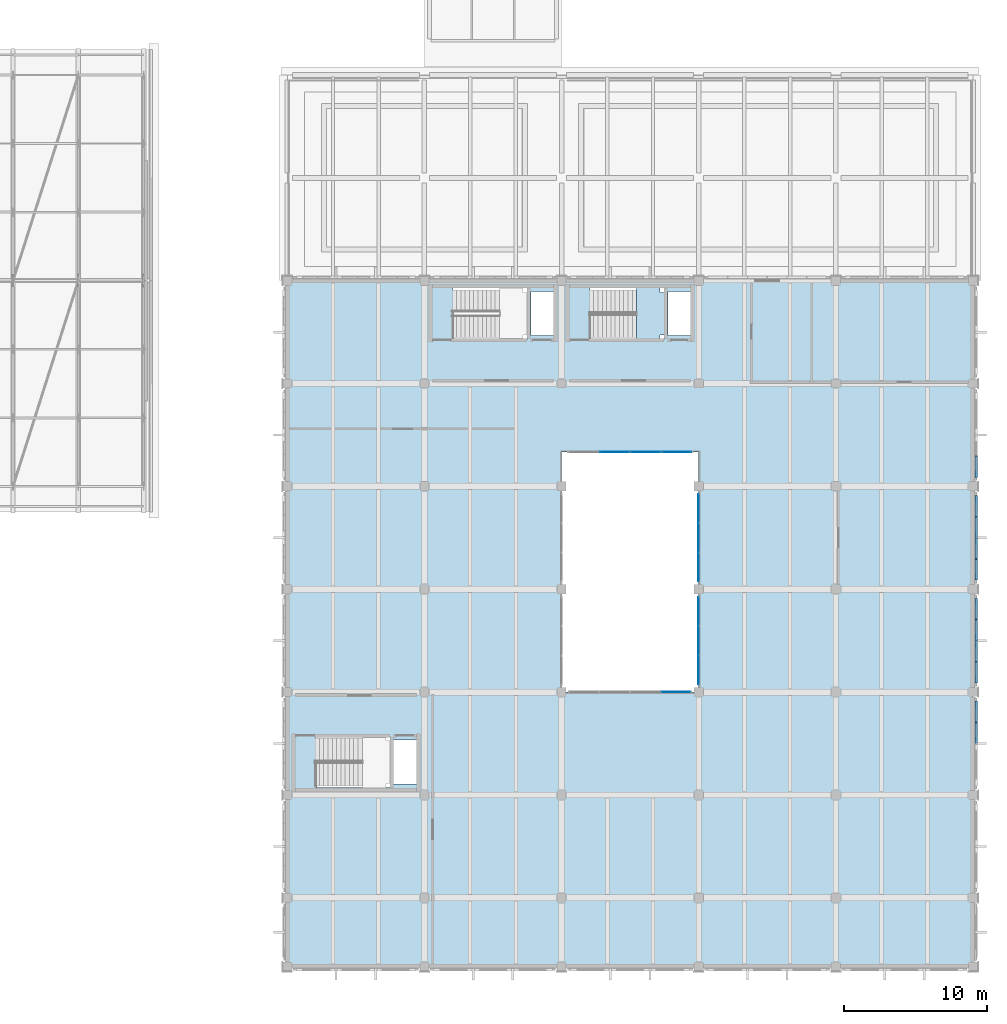
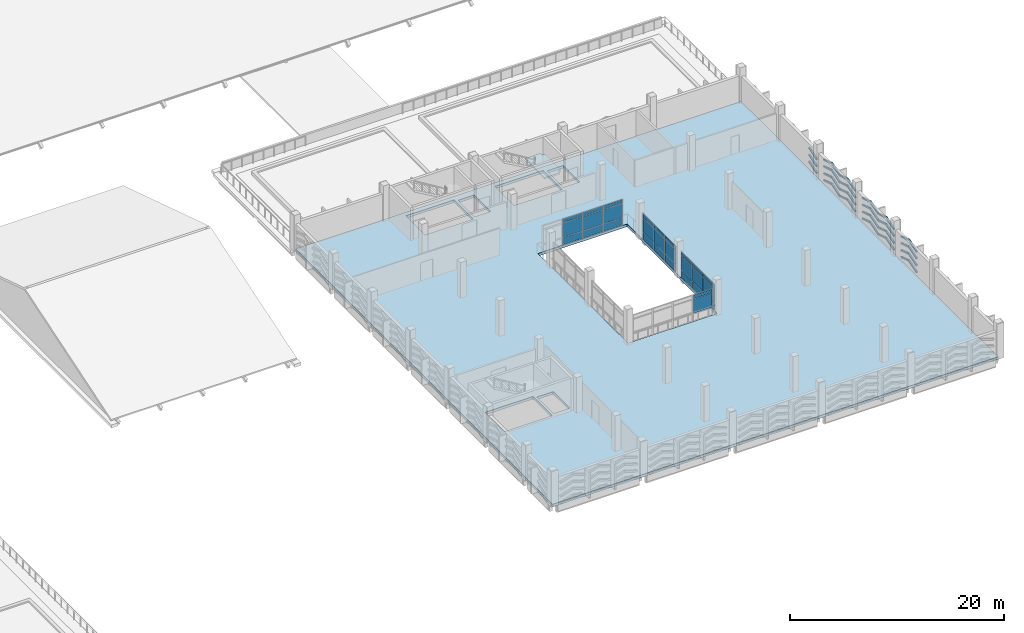
# One storey, part 105 of 134: 72 plates, 2 slabs, 5 elements without a shape of their own.
"""IFC4 building model written with IfcOpenShell, lengths in metres."""

from ifc_helpers import new_model, si_unit, direction, frame, origin, origin_2d, place, context, subcontext, project, spatial, polyline, rectangle, hollow_rectangle, outline, extrude, material, layer, layer_set, material_profile, profile_set, type_object, element, aggregate, save


model = new_model("IFC4")

# Units and contexts
model_context = context("Model", 3, precision=1e-05, world=origin(), true_north=direction((0.0, 1.0)))
body_context = subcontext(model_context, "Body", "Model", "MODEL_VIEW")
ifc_project = project(units=[si_unit("LENGTHUNIT", "METRE"), si_unit("AREAUNIT", "SQUARE_METRE"), si_unit("VOLUMEUNIT", "CUBIC_METRE"), si_unit("PLANEANGLEUNIT", "RADIAN"), si_unit("MASSUNIT", "GRAM", prefix="KILO")], contexts=[model_context])

# Site, building, storey
site_placement = place(None, origin())
site = spatial("IfcSite", under=ifc_project, at=site_placement, CompositionType="ELEMENT")
building_placement = place(site_placement, origin())
building = spatial("IfcBuilding", under=site, at=building_placement, Name="Asteropetra Specialist Clinic", CompositionType="ELEMENT")
storey_placement = place(building_placement, frame((0.0, 0.0, 8.5)))
storey = spatial("IfcBuildingStorey", under=building, at=storey_placement, Name="L02", CompositionType="ELEMENT", Elevation=8.5)

# Plates
ifc_material_1 = material(Name="Chevron emerald aluminium 6063-T6", Category="aluminium")
ifc_material_profile = material_profile(ifc_material_1, hollow_rectangle(XDim=0.179931640625, YDim=0.179931640625, WallThickness=0.010009765625, InnerFilletRadius=0.008056640625, OuterFilletRadius=0.01611328125, at=origin_2d()), Name="SHS 180x180x10.0")
ifc_profile_set = profile_set([ifc_material_profile], Name="Chevron emerald aluminium 6063-T6")
plate_type_1 = type_object("IfcPlateType", Name="CHV-RIB-180", PredefinedType="SHEET", material=ifc_profile_set)
for number, where, z_axis, x_axis, name in (
    (1, (153.839599609375, 15.6201171875, 0.050048828125), (0.0, 0.952520448524, 0.304474621509), (-1.0, 0.0, 0.0), "Chevron Facade Screen Fin CVR-2758"),
    (2, (153.839599609375, 17.077392578125, 0.515869140625), (0.0, 0.952535238788, -0.304428347673), (-1.0, 0.0, 0.0), "Chevron Facade Screen Fin CVR-2759"),
    (3, (153.839599609375, 15.6201171875, 0.820068359375), (0.0, 0.952520448524, 0.304474621509), (-1.0, 0.0, 0.0), "Chevron Facade Screen Fin CVR-2760"),
    (4, (153.839599609375, 17.077392578125, 1.285888671875), (0.0, 0.952535238788, -0.304428347673), (-1.0, 0.0, 0.0), "Chevron Facade Screen Fin CVR-2761"),
    (5, (153.839599609375, 15.6201171875, 1.6201171875), (0.0, 0.952520448524, 0.304474621509), (-1.0, 0.0, 0.0), "Chevron Facade Screen Fin CVR-2762"),
    (6, (153.839599609375, 17.077392578125, 2.0859375), (0.0, 0.952535238788, -0.304428347673), (-1.0, 0.0, 0.0), "Chevron Facade Screen Fin CVR-2763"),
    (7, (153.839599609375, 15.6201171875, 2.39990234375), (0.0, 0.952474159261, 0.304619395213), (-1.0, 0.0, 0.0), "Chevron Facade Screen Fin CVR-2764"),
):
    element("IfcPlate", number, at=place(storey_placement, frame(where, z_axis=z_axis, x_axis=x_axis)), inside=storey, type_object=plate_type_1, Name=name, PredefinedType="SHEET", context=body_context, shape_type="SweptSolid", body=[
        extrude(hollow_rectangle(XDim=0.179931640625, YDim=0.179931640625, WallThickness=0.010009765625, InnerFilletRadius=0.008056640625, OuterFilletRadius=0.01611328125, at=origin_2d()), origin(), (0.0, 0.0, 1.0), 1.530029296875),
    ])
plate_1_placement = place(storey_placement, frame((153.839599609375, 17.077392578125, 2.865966796875), z_axis=(0.0, 0.952488962874, -0.304573103874), x_axis=(-1.0, 0.0, 0.0)))
element("IfcPlate", 8, at=plate_1_placement, inside=storey, type_object=plate_type_1, Name="Chevron Facade Screen Fin CVR-2765", PredefinedType="SHEET", context=body_context, shape_type="SweptSolid", body=[
    extrude(hollow_rectangle(XDim=0.179931640625, YDim=0.179931640625, WallThickness=0.010009765625, InnerFilletRadius=0.008056640625, OuterFilletRadius=0.01611328125, at=origin_2d()), origin(), (0.0, 0.0, 1.0), 1.5302734375),
])
for number, where, z_axis, x_axis, name in (
    (9, (153.839599609375, 19.864990234375, 0.050048828125), (0.0, 0.952535238788, 0.304428347673), (-1.0, 0.0, 0.0), "Chevron Facade Screen Fin CVR-2782"),
    (10, (153.839599609375, 21.322509765625, 0.515869140625), (0.0, 0.952535238788, -0.304428347673), (-1.0, 0.0, 0.0), "Chevron Facade Screen Fin CVR-2783"),
    (11, (153.839599609375, 19.864990234375, 0.820068359375), (0.0, 0.952535238788, 0.304428347673), (-1.0, 0.0, 0.0), "Chevron Facade Screen Fin CVR-2784"),
    (12, (153.839599609375, 21.322509765625, 1.285888671875), (0.0, 0.952535238788, -0.304428347673), (-1.0, 0.0, 0.0), "Chevron Facade Screen Fin CVR-2785"),
    (13, (153.839599609375, 19.864990234375, 1.6201171875), (0.0, 0.952535238788, 0.304428347673), (-1.0, 0.0, 0.0), "Chevron Facade Screen Fin CVR-2786"),
    (14, (153.839599609375, 21.322509765625, 2.0859375), (0.0, 0.952535238788, -0.304428347673), (-1.0, 0.0, 0.0), "Chevron Facade Screen Fin CVR-2787"),
):
    element("IfcPlate", number, at=place(storey_placement, frame(where, z_axis=z_axis, x_axis=x_axis)), inside=storey, type_object=plate_type_1, Name=name, PredefinedType="SHEET", context=body_context, shape_type="SweptSolid", body=[
        extrude(hollow_rectangle(XDim=0.179931640625, YDim=0.179931640625, WallThickness=0.010009765625, InnerFilletRadius=0.008056640625, OuterFilletRadius=0.01611328125, at=origin_2d()), origin(), (0.0, 0.0, 1.0), 1.530029296875),
    ])
for number, where, z_axis, x_axis, name in (
    (15, (153.839599609375, 19.864990234375, 2.39990234375), (0.0, 0.952488962874, 0.304573103874), (-1.0, 0.0, 0.0), "Chevron Facade Screen Fin CVR-2788"),
    (16, (153.839599609375, 21.322509765625, 2.865966796875), (0.0, 0.952488962874, -0.304573103874), (-1.0, 0.0, 0.0), "Chevron Facade Screen Fin CVR-2789"),
):
    element("IfcPlate", number, at=place(storey_placement, frame(where, z_axis=z_axis, x_axis=x_axis)), inside=storey, type_object=plate_type_1, Name=name, PredefinedType="SHEET", context=body_context, shape_type="SweptSolid", body=[
        extrude(hollow_rectangle(XDim=0.179931640625, YDim=0.179931640625, WallThickness=0.010009765625, InnerFilletRadius=0.008056640625, OuterFilletRadius=0.01611328125, at=origin_2d()), origin(), (0.0, 0.0, 1.0), 1.5302734375),
    ])
for number, where, z_axis, x_axis, name in (
    (17, (153.839599609375, 22.820068359375, 0.050048828125), (0.0, 0.952535238788, 0.304428347673), (-1.0, 0.0, 0.0), "Chevron Facade Screen Fin CVR-2790"),
    (18, (153.839599609375, 24.277587890625, 0.515869140625), (0.0, 0.952535238788, -0.304428347673), (-1.0, 0.0, 0.0), "Chevron Facade Screen Fin CVR-2791"),
    (19, (153.839599609375, 22.820068359375, 0.820068359375), (0.0, 0.952535238788, 0.304428347673), (-1.0, 0.0, 0.0), "Chevron Facade Screen Fin CVR-2792"),
    (20, (153.839599609375, 24.277587890625, 1.285888671875), (0.0, 0.952535238788, -0.304428347673), (-1.0, 0.0, 0.0), "Chevron Facade Screen Fin CVR-2793"),
    (21, (153.839599609375, 22.820068359375, 1.6201171875), (0.0, 0.952535238788, 0.304428347673), (-1.0, 0.0, 0.0), "Chevron Facade Screen Fin CVR-2794"),
    (22, (153.839599609375, 24.277587890625, 2.0859375), (0.0, 0.952535238788, -0.304428347673), (-1.0, 0.0, 0.0), "Chevron Facade Screen Fin CVR-2795"),
):
    element("IfcPlate", number, at=place(storey_placement, frame(where, z_axis=z_axis, x_axis=x_axis)), inside=storey, type_object=plate_type_1, Name=name, PredefinedType="SHEET", context=body_context, shape_type="SweptSolid", body=[
        extrude(hollow_rectangle(XDim=0.179931640625, YDim=0.179931640625, WallThickness=0.010009765625, InnerFilletRadius=0.008056640625, OuterFilletRadius=0.01611328125, at=origin_2d()), origin(), (0.0, 0.0, 1.0), 1.530029296875),
    ])
for number, where, z_axis, x_axis, name in (
    (23, (153.839599609375, 22.820068359375, 2.39990234375), (0.0, 0.952488962874, 0.304573103874), (-1.0, 0.0, 0.0), "Chevron Facade Screen Fin CVR-2796"),
    (24, (153.839599609375, 24.277587890625, 2.865966796875), (0.0, 0.952488962874, -0.304573103874), (-1.0, 0.0, 0.0), "Chevron Facade Screen Fin CVR-2797"),
):
    element("IfcPlate", number, at=place(storey_placement, frame(where, z_axis=z_axis, x_axis=x_axis)), inside=storey, type_object=plate_type_1, Name=name, PredefinedType="SHEET", context=body_context, shape_type="SweptSolid", body=[
        extrude(hollow_rectangle(XDim=0.179931640625, YDim=0.179931640625, WallThickness=0.010009765625, InnerFilletRadius=0.008056640625, OuterFilletRadius=0.01611328125, at=origin_2d()), origin(), (0.0, 0.0, 1.0), 1.5302734375),
    ])
for number, where, z_axis, x_axis, name in (
    (25, (153.839599609375, 27.06494140625, 0.050048828125), (0.0, 0.952535238788, 0.304428347673), (-1.0, 0.0, 0.0), "Chevron Facade Screen Fin CVR-2814"),
    (26, (153.839599609375, 28.5224609375, 0.515869140625), (0.0, 0.952535238788, -0.304428347673), (-1.0, 0.0, 0.0), "Chevron Facade Screen Fin CVR-2815"),
    (27, (153.839599609375, 27.06494140625, 0.820068359375), (0.0, 0.952535238788, 0.304428347673), (-1.0, 0.0, 0.0), "Chevron Facade Screen Fin CVR-2816"),
    (28, (153.839599609375, 28.5224609375, 1.285888671875), (0.0, 0.952535238788, -0.304428347673), (-1.0, 0.0, 0.0), "Chevron Facade Screen Fin CVR-2817"),
    (29, (153.839599609375, 27.06494140625, 1.6201171875), (0.0, 0.952535238788, 0.304428347673), (-1.0, 0.0, 0.0), "Chevron Facade Screen Fin CVR-2818"),
    (30, (153.839599609375, 28.5224609375, 2.0859375), (0.0, 0.952535238788, -0.304428347673), (-1.0, 0.0, 0.0), "Chevron Facade Screen Fin CVR-2819"),
):
    element("IfcPlate", number, at=place(storey_placement, frame(where, z_axis=z_axis, x_axis=x_axis)), inside=storey, type_object=plate_type_1, Name=name, PredefinedType="SHEET", context=body_context, shape_type="SweptSolid", body=[
        extrude(hollow_rectangle(XDim=0.179931640625, YDim=0.179931640625, WallThickness=0.010009765625, InnerFilletRadius=0.008056640625, OuterFilletRadius=0.01611328125, at=origin_2d()), origin(), (0.0, 0.0, 1.0), 1.530029296875),
    ])
for number, where, z_axis, x_axis, name in (
    (31, (153.839599609375, 27.06494140625, 2.39990234375), (0.0, 0.952488962874, 0.304573103874), (-1.0, 0.0, 0.0), "Chevron Facade Screen Fin CVR-2820"),
    (32, (153.839599609375, 28.5224609375, 2.865966796875), (0.0, 0.952488962874, -0.304573103874), (-1.0, 0.0, 0.0), "Chevron Facade Screen Fin CVR-2821"),
):
    element("IfcPlate", number, at=place(storey_placement, frame(where, z_axis=z_axis, x_axis=x_axis)), inside=storey, type_object=plate_type_1, Name=name, PredefinedType="SHEET", context=body_context, shape_type="SweptSolid", body=[
        extrude(hollow_rectangle(XDim=0.179931640625, YDim=0.179931640625, WallThickness=0.010009765625, InnerFilletRadius=0.008056640625, OuterFilletRadius=0.01611328125, at=origin_2d()), origin(), (0.0, 0.0, 1.0), 1.5302734375),
    ])
for number, where, z_axis, x_axis, name in (
    (33, (153.839599609375, 30.02001953125, 0.050048828125), (0.0, 0.952535238788, 0.304428347673), (-1.0, 0.0, 0.0), "Chevron Facade Screen Fin CVR-2822"),
    (34, (153.839599609375, 31.4775390625, 0.515869140625), (0.0, 0.952535238788, -0.304428347673), (-1.0, 0.0, 0.0), "Chevron Facade Screen Fin CVR-2823"),
    (35, (153.839599609375, 30.02001953125, 0.820068359375), (0.0, 0.952535238788, 0.304428347673), (-1.0, 0.0, 0.0), "Chevron Facade Screen Fin CVR-2824"),
    (36, (153.839599609375, 31.4775390625, 1.285888671875), (0.0, 0.952535238788, -0.304428347673), (-1.0, 0.0, 0.0), "Chevron Facade Screen Fin CVR-2825"),
    (37, (153.839599609375, 30.02001953125, 1.6201171875), (0.0, 0.952535238788, 0.304428347673), (-1.0, 0.0, 0.0), "Chevron Facade Screen Fin CVR-2826"),
    (38, (153.839599609375, 31.4775390625, 2.0859375), (0.0, 0.952535238788, -0.304428347673), (-1.0, 0.0, 0.0), "Chevron Facade Screen Fin CVR-2827"),
):
    element("IfcPlate", number, at=place(storey_placement, frame(where, z_axis=z_axis, x_axis=x_axis)), inside=storey, type_object=plate_type_1, Name=name, PredefinedType="SHEET", context=body_context, shape_type="SweptSolid", body=[
        extrude(hollow_rectangle(XDim=0.179931640625, YDim=0.179931640625, WallThickness=0.010009765625, InnerFilletRadius=0.008056640625, OuterFilletRadius=0.01611328125, at=origin_2d()), origin(), (0.0, 0.0, 1.0), 1.530029296875),
    ])
for number, where, z_axis, x_axis, name in (
    (39, (153.839599609375, 30.02001953125, 2.39990234375), (0.0, 0.952488962874, 0.304573103874), (-1.0, 0.0, 0.0), "Chevron Facade Screen Fin CVR-2828"),
    (40, (153.839599609375, 31.4775390625, 2.865966796875), (0.0, 0.952488962874, -0.304573103874), (-1.0, 0.0, 0.0), "Chevron Facade Screen Fin CVR-2829"),
):
    element("IfcPlate", number, at=place(storey_placement, frame(where, z_axis=z_axis, x_axis=x_axis)), inside=storey, type_object=plate_type_1, Name=name, PredefinedType="SHEET", context=body_context, shape_type="SweptSolid", body=[
        extrude(hollow_rectangle(XDim=0.179931640625, YDim=0.179931640625, WallThickness=0.010009765625, InnerFilletRadius=0.008056640625, OuterFilletRadius=0.01611328125, at=origin_2d()), origin(), (0.0, 0.0, 1.0), 1.5302734375),
    ])
for number, where, z_axis, x_axis, name in (
    (41, (153.839599609375, 34.264892578125, 0.050048828125), (0.0, 0.952535238788, 0.304428347673), (-1.0, 0.0, 0.0), "Chevron Facade Screen Fin CVR-2846"),
    (42, (153.839599609375, 34.264892578125, 0.820068359375), (0.0, 0.952535238788, 0.304428347673), (-1.0, 0.0, 0.0), "Chevron Facade Screen Fin CVR-2848"),
    (43, (153.839599609375, 34.264892578125, 1.6201171875), (0.0, 0.952535238788, 0.304428347673), (-1.0, 0.0, 0.0), "Chevron Facade Screen Fin CVR-2850"),
):
    element("IfcPlate", number, at=place(storey_placement, frame(where, z_axis=z_axis, x_axis=x_axis)), inside=storey, type_object=plate_type_1, Name=name, PredefinedType="SHEET", context=body_context, shape_type="SweptSolid", body=[
        extrude(hollow_rectangle(XDim=0.179931640625, YDim=0.179931640625, WallThickness=0.010009765625, InnerFilletRadius=0.008056640625, OuterFilletRadius=0.01611328125, at=origin_2d()), origin(), (0.0, 0.0, 1.0), 1.530029296875),
    ])

# Curtain wall, plates
ifc_material_2 = material(Name="Aluminium and low-E glass", Category="aluminium")
ifc_layer_1 = layer(ifc_material_2, 0.14990234375)
ifc_layer_set_1 = layer_set([ifc_layer_1], Name="Aluminium and low-E glass")
curtain_wall_type_1 = type_object("IfcCurtainWallType", Name="CW-SYS-11", PredefinedType="USERDEFINED", material=ifc_layer_set_1)
curtain_wall_1_placement = place(storey_placement, origin())
curtain_wall_1 = element("IfcCurtainWall", 44, at=curtain_wall_1_placement, inside=storey, type_object=curtain_wall_type_1, Name="Curtain Wall CW-080", ObjectType="STICK GLAZED COLONNADE", PredefinedType="USERDEFINED")
ifc_material_3 = material(Name="Low-E double glazing", Category="glass")
ifc_layer_2 = layer(ifc_material_3, 0.028076171875)
ifc_layer_set_2 = layer_set([ifc_layer_2], Name="Low-E double glazing")
plate_type_2 = type_object("IfcPlateType", Name="CWP-GLZ-28", PredefinedType="CURTAIN_PANEL", material=ifc_layer_set_2)
plate_2_placement = place(storey_placement, frame((134.39990234375, 20.73828125, 0.06005859375), z_axis=(0.0, 0.0, 1.0), x_axis=(0.0, 1.0, 0.0)))
plate_2 = element("IfcPlate", 45, at=plate_2_placement, type_object=plate_type_2, Name="CW-080 panel 1.1", PredefinedType="CURTAIN_PANEL", context=body_context, shape_type="SweptSolid", body=[
    extrude(rectangle(XDim=1.986572265625, YDim=0.028076171875, at=origin_2d()), origin(), (0.0, 0.0, 1.0), 0.81005859375),
])
plate_3_placement = place(storey_placement, frame((134.39990234375, 20.73828125, 0.929931640625), z_axis=(0.0, 0.0, 1.0), x_axis=(0.0, 1.0, 0.0)))
plate_3 = element("IfcPlate", 46, at=plate_3_placement, type_object=plate_type_2, Name="CW-080 panel 1.2", PredefinedType="CURTAIN_PANEL", context=body_context, shape_type="SweptSolid", body=[
    extrude(rectangle(XDim=1.986572265625, YDim=0.028076171875, at=origin_2d()), origin(), (0.0, 0.0, 1.0), 1.60009765625),
])
plate_4_placement = place(storey_placement, frame((134.39990234375, 20.73828125, 2.58984375), z_axis=(0.0, 0.0, 1.0), x_axis=(0.0, 1.0, 0.0)))
plate_4 = element("IfcPlate", 47, at=plate_4_placement, type_object=plate_type_2, Name="CW-080 panel 1.3", PredefinedType="CURTAIN_PANEL", context=body_context, shape_type="SweptSolid", body=[
    extrude(rectangle(XDim=1.986572265625, YDim=0.028076171875, at=origin_2d()), origin(), (0.0, 0.0, 1.0), 0.409912109375),
])
plate_5_placement = place(storey_placement, frame((134.39990234375, 22.800048828125, 0.06005859375), z_axis=(0.0, 0.0, 1.0), x_axis=(0.0, 1.0, 0.0)))
plate_5 = element("IfcPlate", 48, at=plate_5_placement, type_object=plate_type_2, Name="CW-080 panel 2.1", PredefinedType="CURTAIN_PANEL", context=body_context, shape_type="SweptSolid", body=[
    extrude(rectangle(XDim=2.0166015625, YDim=0.028076171875, at=origin_2d()), origin(), (0.0, 0.0, 1.0), 0.81005859375),
])
plate_6_placement = place(storey_placement, frame((134.39990234375, 22.800048828125, 0.929931640625), z_axis=(0.0, 0.0, 1.0), x_axis=(0.0, 1.0, 0.0)))
plate_6 = element("IfcPlate", 49, at=plate_6_placement, type_object=plate_type_2, Name="CW-080 panel 2.2", PredefinedType="CURTAIN_PANEL", context=body_context, shape_type="SweptSolid", body=[
    extrude(rectangle(XDim=2.0166015625, YDim=0.028076171875, at=origin_2d()), origin(), (0.0, 0.0, 1.0), 1.60009765625),
])
plate_7_placement = place(storey_placement, frame((134.39990234375, 22.800048828125, 2.58984375), z_axis=(0.0, 0.0, 1.0), x_axis=(0.0, 1.0, 0.0)))
plate_7 = element("IfcPlate", 50, at=plate_7_placement, type_object=plate_type_2, Name="CW-080 panel 2.3", PredefinedType="CURTAIN_PANEL", context=body_context, shape_type="SweptSolid", body=[
    extrude(rectangle(XDim=2.0166015625, YDim=0.028076171875, at=origin_2d()), origin(), (0.0, 0.0, 1.0), 0.409912109375),
])
plate_8_placement = place(storey_placement, frame((134.39990234375, 24.861572265625, 0.06005859375), z_axis=(0.0, 0.0, 1.0), x_axis=(0.0, 1.0, 0.0)))
plate_8 = element("IfcPlate", 51, at=plate_8_placement, type_object=plate_type_2, Name="CW-080 panel 3.1", PredefinedType="CURTAIN_PANEL", context=body_context, shape_type="SweptSolid", body=[
    extrude(rectangle(XDim=1.986572265625, YDim=0.028076171875, at=origin_2d()), origin(), (0.0, 0.0, 1.0), 0.81005859375),
])
plate_9_placement = place(storey_placement, frame((134.39990234375, 24.861572265625, 0.929931640625), z_axis=(0.0, 0.0, 1.0), x_axis=(0.0, 1.0, 0.0)))
plate_9 = element("IfcPlate", 52, at=plate_9_placement, type_object=plate_type_2, Name="CW-080 panel 3.2", PredefinedType="CURTAIN_PANEL", context=body_context, shape_type="SweptSolid", body=[
    extrude(rectangle(XDim=1.986572265625, YDim=0.028076171875, at=origin_2d()), origin(), (0.0, 0.0, 1.0), 1.60009765625),
])
plate_10_placement = place(storey_placement, frame((134.39990234375, 24.861572265625, 2.58984375), z_axis=(0.0, 0.0, 1.0), x_axis=(0.0, 1.0, 0.0)))
plate_10 = element("IfcPlate", 53, at=plate_10_placement, type_object=plate_type_2, Name="CW-080 panel 3.3", PredefinedType="CURTAIN_PANEL", context=body_context, shape_type="SweptSolid", body=[
    extrude(rectangle(XDim=1.986572265625, YDim=0.028076171875, at=origin_2d()), origin(), (0.0, 0.0, 1.0), 0.409912109375),
])
aggregate(curtain_wall_1, [plate_2, plate_3, plate_4, plate_5, plate_6, plate_7, plate_8, plate_9, plate_10])

ifc_material_4 = material(Name="Aluminium and low-E glass", Category="aluminium")
ifc_layer_3 = layer(ifc_material_4, 0.14990234375)
ifc_layer_set_3 = layer_set([ifc_layer_3], Name="Aluminium and low-E glass")
curtain_wall_type_2 = type_object("IfcCurtainWallType", Name="CW-SYS-08", PredefinedType="USERDEFINED", material=ifc_layer_set_3)
curtain_wall_2_placement = place(storey_placement, origin())
curtain_wall_2 = element("IfcCurtainWall", 54, at=curtain_wall_2_placement, inside=storey, type_object=curtain_wall_type_2, Name="Curtain Wall CW-077", ObjectType="STICK GLAZED COLONNADE", PredefinedType="USERDEFINED")
ifc_material_5 = material(Name="Low-E acoustic double glazing", Category="glass")
ifc_layer_4 = layer(ifc_material_5, 0.031982421875)
ifc_layer_set_4 = layer_set([ifc_layer_4], Name="Low-E acoustic double glazing")
plate_type_3 = type_object("IfcPlateType", Name="CWP-GLZ-32", PredefinedType="CURTAIN_PANEL", material=ifc_layer_set_4)
plate_11_placement = place(storey_placement, frame((132.8212890625, 19.199951171875, 0.929931640625), z_axis=(0.0, 0.0, 1.0), x_axis=(1.0, 0.0, 0.0)))
plate_11 = element("IfcPlate", 55, at=plate_11_placement, type_object=plate_type_3, Name="CW-077 panel 4.2", PredefinedType="CURTAIN_PANEL", context=body_context, shape_type="SweptSolid", body=[
    extrude(rectangle(XDim=2.0673828125, YDim=0.031982421875, at=origin_2d()), origin(), (0.0, 0.0, 1.0), 1.60009765625),
])
plate_12_placement = place(storey_placement, frame((132.8212890625, 19.199951171875, 2.58984375), z_axis=(0.0, 0.0, 1.0), x_axis=(1.0, 0.0, 0.0)))
plate_12 = element("IfcPlate", 56, at=plate_12_placement, type_object=plate_type_3, Name="CW-077 panel 4.3", PredefinedType="CURTAIN_PANEL", context=body_context, shape_type="SweptSolid", body=[
    extrude(rectangle(XDim=2.0673828125, YDim=0.031982421875, at=origin_2d()), origin(), (0.0, 0.0, 1.0), 0.409912109375),
])
aggregate(curtain_wall_2, [plate_11, plate_12])

ifc_material_6 = material(Name="Aluminium and low-E glass", Category="aluminium")
ifc_layer_5 = layer(ifc_material_6, 0.135009765625)
ifc_layer_set_5 = layer_set([ifc_layer_5], Name="Aluminium and low-E glass")
curtain_wall_type_3 = type_object("IfcCurtainWallType", Name="CW-SYS-09", PredefinedType="USERDEFINED", material=ifc_layer_set_5)
curtain_wall_3_placement = place(storey_placement, origin())
curtain_wall_3 = element("IfcCurtainWall", 57, at=curtain_wall_3_placement, inside=storey, type_object=curtain_wall_type_3, Name="Curtain Wall CW-078", ObjectType="STICK GLAZED COLONNADE", PredefinedType="USERDEFINED")
ifc_material_7 = material(Name="Solar-control triple glazing", Category="glass")
ifc_layer_6 = layer(ifc_material_7, 0.035888671875)
ifc_layer_set_6 = layer_set([ifc_layer_6], Name="Solar-control triple glazing")
plate_type_4 = type_object("IfcPlateType", Name="CWP-GLZ-36", PredefinedType="CURTAIN_PANEL", material=ifc_layer_set_6)
plate_13_placement = place(storey_placement, frame((132.851318359375, 36.0, 0.074951171875), z_axis=(0.0, 0.0, 1.0), x_axis=(-1.0, 0.0, 0.0)))
plate_13 = element("IfcPlate", 58, at=plate_13_placement, type_object=plate_type_4, Name="CW-078 panel 1.1", PredefinedType="CURTAIN_PANEL", context=body_context, shape_type="SweptSolid", body=[
    extrude(rectangle(XDim=2.0673828125, YDim=0.035888671875, at=origin_2d()), origin(), (0.0, 0.0, 1.0), 0.78759765625),
])
plate_14_placement = place(storey_placement, frame((132.851318359375, 36.0, 0.9375), z_axis=(0.0, 0.0, 1.0), x_axis=(-1.0, 0.0, 0.0)))
plate_14 = element("IfcPlate", 59, at=plate_14_placement, type_object=plate_type_4, Name="CW-078 panel 1.2", PredefinedType="CURTAIN_PANEL", context=body_context, shape_type="SweptSolid", body=[
    extrude(rectangle(XDim=2.0673828125, YDim=0.035888671875, at=origin_2d()), origin(), (0.0, 0.0, 1.0), 1.5849609375),
])
plate_15_placement = place(storey_placement, frame((132.851318359375, 36.0, 2.59765625), z_axis=(0.0, 0.0, 1.0), x_axis=(-1.0, 0.0, 0.0)))
plate_15 = element("IfcPlate", 60, at=plate_15_placement, type_object=plate_type_4, Name="CW-078 panel 1.3", PredefinedType="CURTAIN_PANEL", context=body_context, shape_type="SweptSolid", body=[
    extrude(rectangle(XDim=2.0673828125, YDim=0.035888671875, at=origin_2d()), origin(), (0.0, 0.0, 1.0), 0.387451171875),
])
plate_16_placement = place(storey_placement, frame((130.68994140625, 36.0, 0.074951171875), z_axis=(0.0, 0.0, 1.0), x_axis=(-1.0, 0.0, 0.0)))
plate_16 = element("IfcPlate", 61, at=plate_16_placement, type_object=plate_type_4, Name="CW-078 panel 2.1", PredefinedType="CURTAIN_PANEL", context=body_context, shape_type="SweptSolid", body=[
    extrude(rectangle(XDim=2.10498046875, YDim=0.035888671875, at=origin_2d()), origin(), (0.0, 0.0, 1.0), 0.78759765625),
])
plate_17_placement = place(storey_placement, frame((130.68994140625, 36.0, 0.9375), z_axis=(0.0, 0.0, 1.0), x_axis=(-1.0, 0.0, 0.0)))
plate_17 = element("IfcPlate", 62, at=plate_17_placement, type_object=plate_type_4, Name="CW-078 panel 2.2", PredefinedType="CURTAIN_PANEL", context=body_context, shape_type="SweptSolid", body=[
    extrude(rectangle(XDim=2.10498046875, YDim=0.035888671875, at=origin_2d()), origin(), (0.0, 0.0, 1.0), 1.5849609375),
])
plate_18_placement = place(storey_placement, frame((130.68994140625, 36.0, 2.59765625), z_axis=(0.0, 0.0, 1.0), x_axis=(-1.0, 0.0, 0.0)))
plate_18 = element("IfcPlate", 63, at=plate_18_placement, type_object=plate_type_4, Name="CW-078 panel 2.3", PredefinedType="CURTAIN_PANEL", context=body_context, shape_type="SweptSolid", body=[
    extrude(rectangle(XDim=2.10498046875, YDim=0.035888671875, at=origin_2d()), origin(), (0.0, 0.0, 1.0), 0.387451171875),
])
plate_19_placement = place(storey_placement, frame((128.510009765625, 36.0, 0.074951171875), z_axis=(0.0, 0.0, 1.0), x_axis=(-1.0, 0.0, 0.0)))
plate_19 = element("IfcPlate", 64, at=plate_19_placement, type_object=plate_type_4, Name="CW-078 panel 3.1", PredefinedType="CURTAIN_PANEL", context=body_context, shape_type="SweptSolid", body=[
    extrude(rectangle(XDim=2.10498046875, YDim=0.035888671875, at=origin_2d()), origin(), (0.0, 0.0, 1.0), 0.78759765625),
])
plate_20_placement = place(storey_placement, frame((128.510009765625, 36.0, 0.9375), z_axis=(0.0, 0.0, 1.0), x_axis=(-1.0, 0.0, 0.0)))
plate_20 = element("IfcPlate", 65, at=plate_20_placement, type_object=plate_type_4, Name="CW-078 panel 3.2", PredefinedType="CURTAIN_PANEL", context=body_context, shape_type="SweptSolid", body=[
    extrude(rectangle(XDim=2.10498046875, YDim=0.035888671875, at=origin_2d()), origin(), (0.0, 0.0, 1.0), 1.5849609375),
])
plate_21_placement = place(storey_placement, frame((128.510009765625, 36.0, 2.59765625), z_axis=(0.0, 0.0, 1.0), x_axis=(-1.0, 0.0, 0.0)))
plate_21 = element("IfcPlate", 66, at=plate_21_placement, type_object=plate_type_4, Name="CW-078 panel 3.3", PredefinedType="CURTAIN_PANEL", context=body_context, shape_type="SweptSolid", body=[
    extrude(rectangle(XDim=2.10498046875, YDim=0.035888671875, at=origin_2d()), origin(), (0.0, 0.0, 1.0), 0.387451171875),
])
aggregate(curtain_wall_3, [plate_13, plate_14, plate_15, plate_16, plate_17, plate_18, plate_19, plate_20, plate_21])

ifc_material_8 = material(Name="Aluminium and low-E glass", Category="aluminium")
ifc_layer_7 = layer(ifc_material_8, 0.135009765625)
ifc_layer_set_7 = layer_set([ifc_layer_7], Name="Aluminium and low-E glass")
curtain_wall_type_4 = type_object("IfcCurtainWallType", Name="CW-SYS-12", PredefinedType="USERDEFINED", material=ifc_layer_set_7)
curtain_wall_4_placement = place(storey_placement, origin())
curtain_wall_4 = element("IfcCurtainWall", 67, at=curtain_wall_4_placement, inside=storey, type_object=curtain_wall_type_4, Name="Curtain Wall CW-082", ObjectType="STICK GLAZED COLONNADE", PredefinedType="USERDEFINED")
plate_22_placement = place(storey_placement, frame((134.39990234375, 27.939697265625, 0.06494140625), z_axis=(0.0, 0.0, 1.0), x_axis=(0.0, 1.0, 0.0)))
plate_22 = element("IfcPlate", 68, at=plate_22_placement, type_object=plate_type_4, Name="CW-082 panel 1.1", PredefinedType="CURTAIN_PANEL", context=body_context, shape_type="SweptSolid", body=[
    extrude(rectangle(XDim=1.979248046875, YDim=0.035888671875, at=origin_2d()), origin(), (0.0, 0.0, 1.0), 0.802490234375),
])
plate_23_placement = place(storey_placement, frame((134.39990234375, 27.939697265625, 0.9326171875), z_axis=(0.0, 0.0, 1.0), x_axis=(0.0, 1.0, 0.0)))
plate_23 = element("IfcPlate", 69, at=plate_23_placement, type_object=plate_type_4, Name="CW-082 panel 1.2", PredefinedType="CURTAIN_PANEL", context=body_context, shape_type="SweptSolid", body=[
    extrude(rectangle(XDim=1.979248046875, YDim=0.035888671875, at=origin_2d()), origin(), (0.0, 0.0, 1.0), 1.594970703125),
])
plate_24_placement = place(storey_placement, frame((134.39990234375, 27.939697265625, 2.59228515625), z_axis=(0.0, 0.0, 1.0), x_axis=(0.0, 1.0, 0.0)))
plate_24 = element("IfcPlate", 70, at=plate_24_placement, type_object=plate_type_4, Name="CW-082 panel 1.3", PredefinedType="CURTAIN_PANEL", context=body_context, shape_type="SweptSolid", body=[
    extrude(rectangle(XDim=1.979248046875, YDim=0.035888671875, at=origin_2d()), origin(), (0.0, 0.0, 1.0), 0.402587890625),
])
plate_25_placement = place(storey_placement, frame((134.39990234375, 30.0, 0.06494140625), z_axis=(0.0, 0.0, 1.0), x_axis=(0.0, 1.0, 0.0)))
plate_25 = element("IfcPlate", 71, at=plate_25_placement, type_object=plate_type_4, Name="CW-082 panel 2.1", PredefinedType="CURTAIN_PANEL", context=body_context, shape_type="SweptSolid", body=[
    extrude(rectangle(XDim=2.01171875, YDim=0.035888671875, at=origin_2d()), origin(), (0.0, 0.0, 1.0), 0.802490234375),
])
plate_26_placement = place(storey_placement, frame((134.39990234375, 30.0, 0.9326171875), z_axis=(0.0, 0.0, 1.0), x_axis=(0.0, 1.0, 0.0)))
plate_26 = element("IfcPlate", 72, at=plate_26_placement, type_object=plate_type_4, Name="CW-082 panel 2.2", PredefinedType="CURTAIN_PANEL", context=body_context, shape_type="SweptSolid", body=[
    extrude(rectangle(XDim=2.01171875, YDim=0.035888671875, at=origin_2d()), origin(), (0.0, 0.0, 1.0), 1.594970703125),
])
plate_27_placement = place(storey_placement, frame((134.39990234375, 30.0, 2.59228515625), z_axis=(0.0, 0.0, 1.0), x_axis=(0.0, 1.0, 0.0)))
plate_27 = element("IfcPlate", 73, at=plate_27_placement, type_object=plate_type_4, Name="CW-082 panel 2.3", PredefinedType="CURTAIN_PANEL", context=body_context, shape_type="SweptSolid", body=[
    extrude(rectangle(XDim=2.01171875, YDim=0.035888671875, at=origin_2d()), origin(), (0.0, 0.0, 1.0), 0.402587890625),
])
plate_28_placement = place(storey_placement, frame((134.39990234375, 32.060302734375, 0.06494140625), z_axis=(0.0, 0.0, 1.0), x_axis=(0.0, 1.0, 0.0)))
plate_28 = element("IfcPlate", 74, at=plate_28_placement, type_object=plate_type_4, Name="CW-082 panel 3.1", PredefinedType="CURTAIN_PANEL", context=body_context, shape_type="SweptSolid", body=[
    extrude(rectangle(XDim=1.979248046875, YDim=0.035888671875, at=origin_2d()), origin(), (0.0, 0.0, 1.0), 0.802490234375),
])
plate_29_placement = place(storey_placement, frame((134.39990234375, 32.060302734375, 0.9326171875), z_axis=(0.0, 0.0, 1.0), x_axis=(0.0, 1.0, 0.0)))
plate_29 = element("IfcPlate", 75, at=plate_29_placement, type_object=plate_type_4, Name="CW-082 panel 3.2", PredefinedType="CURTAIN_PANEL", context=body_context, shape_type="SweptSolid", body=[
    extrude(rectangle(XDim=1.979248046875, YDim=0.035888671875, at=origin_2d()), origin(), (0.0, 0.0, 1.0), 1.594970703125),
])
plate_30_placement = place(storey_placement, frame((134.39990234375, 32.060302734375, 2.59228515625), z_axis=(0.0, 0.0, 1.0), x_axis=(0.0, 1.0, 0.0)))
plate_30 = element("IfcPlate", 76, at=plate_30_placement, type_object=plate_type_4, Name="CW-082 panel 3.3", PredefinedType="CURTAIN_PANEL", context=body_context, shape_type="SweptSolid", body=[
    extrude(rectangle(XDim=1.979248046875, YDim=0.035888671875, at=origin_2d()), origin(), (0.0, 0.0, 1.0), 0.402587890625),
])
aggregate(curtain_wall_4, [plate_22, plate_23, plate_24, plate_25, plate_26, plate_27, plate_28, plate_29, plate_30])

# Slab
ifc_material_9 = material(Name="Concrete C35/45", Category="concrete")
ifc_layer_8 = layer(ifc_material_9, 0.300048828125)
ifc_layer_set_8 = layer_set([ifc_layer_8], Name="Concrete C35/45")
slab_type_1 = type_object("IfcSlabType", Name="SLB-FLR-300", PredefinedType="FLOOR", material=ifc_layer_set_8)
slab_1_placement = place(storey_placement, frame((0.0, 0.0, -0.300048828125)))
element("IfcSlab", 77, at=slab_1_placement, inside=storey, type_object=slab_type_1, Name="Slab V6 L02", PredefinedType="FLOOR", context=body_context, shape_type="SweptSolid", body=[
    extrude(outline(polyline([(105.60009765625, 0.0), (153.60009765625, 0.0), (153.60009765625, 48.0), (105.60009765625, 48.0), (105.60009765625, 0.0)]), holes=[polyline([(124.800048828125, 19.199951171875), (134.39990234375, 19.199951171875), (134.39990234375, 36.0), (124.800048828125, 36.0), (124.800048828125, 19.199951171875)]), polyline([(107.60009765625, 12.52001953125), (112.780029296875, 12.52001953125), (112.780029296875, 16.10009765625), (107.60009765625, 16.10009765625), (107.60009765625, 12.52001953125)]), polyline([(113.050048828125, 12.77001953125), (114.800048828125, 12.77001953125), (114.800048828125, 15.85009765625), (113.050048828125, 15.85009765625), (113.050048828125, 12.77001953125)]), polyline([(126.800048828125, 43.89990234375), (131.97998046875, 43.89990234375), (131.97998046875, 47.47998046875), (126.800048828125, 47.47998046875), (126.800048828125, 43.89990234375)]), polyline([(132.25, 44.14990234375), (134.0, 44.14990234375), (134.0, 47.22998046875), (132.25, 47.22998046875), (132.25, 44.14990234375)]), polyline([(117.199951171875, 43.89990234375), (122.3798828125, 43.89990234375), (122.3798828125, 47.47998046875), (117.199951171875, 47.47998046875), (117.199951171875, 43.89990234375)]), polyline([(122.64990234375, 44.14990234375), (124.39990234375, 44.14990234375), (124.39990234375, 47.22998046875), (122.64990234375, 47.22998046875), (122.64990234375, 44.14990234375)])]), origin(), (0.0, 0.0, 1.0), 0.300048828125),
])

# Stair, slab
ifc_material_10 = material(Name="Concrete C35/45", Category="concrete")
stair_type = type_object("IfcStairType", Name="STR-DOG-165", PredefinedType="TWO_STRAIGHT_RUN_STAIR", material=ifc_material_10)
stair_placement = place(storey_placement, origin())
stair = element("IfcStair", 78, at=stair_placement, inside=storey, type_object=stair_type, Name="Type I Stair ST09-L02", PredefinedType="TWO_STRAIGHT_RUN_STAIR")
ifc_material_11 = material(Name="Concrete C35/45", Category="concrete")
ifc_layer_9 = layer(ifc_material_11, 0.199951171875)
ifc_layer_set_9 = layer_set([ifc_layer_9], Name="Concrete C35/45")
slab_type_2 = type_object("IfcSlabType", Name="SLB-LND-200", PredefinedType="LANDING", material=ifc_layer_set_9)
slab_2_placement = place(storey_placement, frame((0.0, 0.0, 1.840087890625)))
slab_2 = element("IfcSlab", 79, at=slab_2_placement, type_object=slab_type_2, Name="ST09-L02 landing 1", PredefinedType="LANDING", context=body_context, shape_type="SweptSolid", body=[
    extrude(outline(polyline([(130.050048828125, 43.8701171875), (131.699951171875, 43.8701171875), (131.699951171875, 44.18994140625), (132.02001953125, 44.18994140625), (132.02001953125, 47.18994140625), (131.699951171875, 47.18994140625), (131.699951171875, 47.510009765625), (130.050048828125, 47.510009765625), (130.050048828125, 43.8701171875)])), origin(), (0.0, 0.0, 1.0), 0.199951171875),
])
aggregate(stair, [slab_2])

save(model, "model.ifc")
